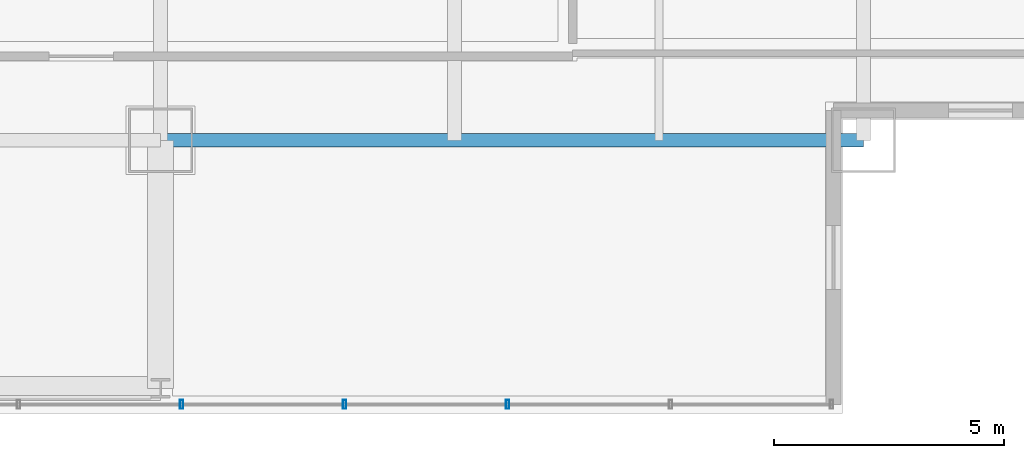
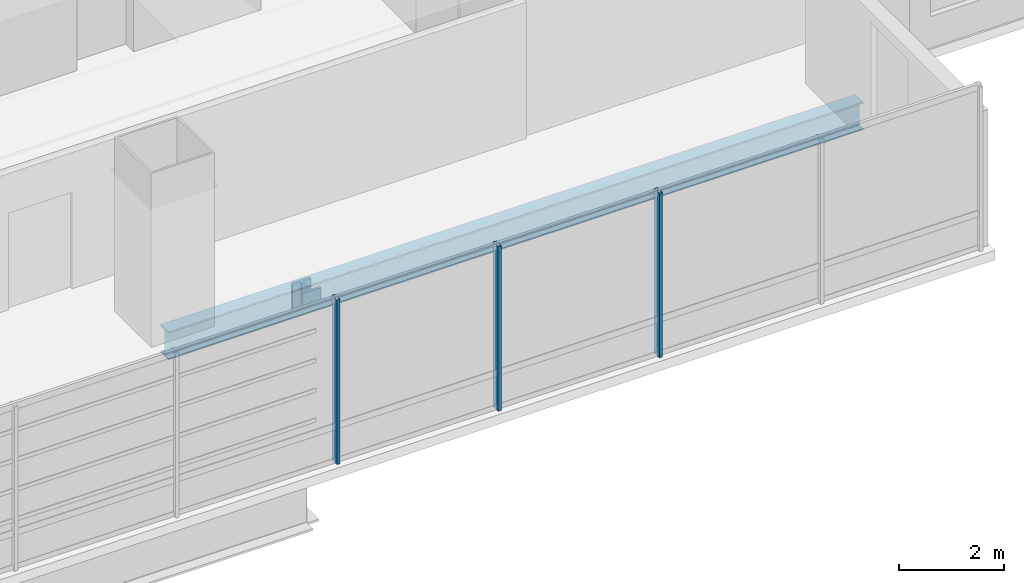
# One storey, part 7 of 37: 3 members, 1 beam, 1 element without a shape of its own.
"""IFC4 building model written with IfcOpenShell, lengths in metres."""

import ifcopenshell
import ifcopenshell.guid

model = None  # the IFC model being written
_history = None  # IfcOwnerHistory: only IFC2X3 demands one
_inside = {}  # id of a spatial element -> (the spatial element, [elements in it])
_under = {}  # id of a project, library or spatial element -> (it, [spatial elements below it])
_declared = {}  # id of a project -> (the project, [libraries it declares])
_typed = {}  # id of a type object -> (the type object, [elements of that type])
_made_of = {}  # id of a material, layer set ... -> (it, [elements and type objects made of it])


def new_model(schema):
    """Start an empty IFC model of exactly this schema.

    Asked for "IFC4X3", IfcOpenShell would pick the latest addendum, in which some entities
    have other attributes; the version numbers below select the first issue.
    IFC2X3 requires an IfcOwnerHistory on every rooted entity: one is made here for all.
    """
    global model, _history
    if schema == "IFC4X3":
        model = ifcopenshell.file(schema_version=(4, 3, 0, 0))
    else:
        model = ifcopenshell.file(schema=schema)
    _inside.clear()
    _under.clear()
    _declared.clear()
    _typed.clear()
    _made_of.clear()
    _history = None
    if model.schema == "IFC2X3":
        org = make("IfcOrganization", Name="unknown")
        user = make(
            "IfcPersonAndOrganization",
            ThePerson=make("IfcPerson", FamilyName="unknown"),
            TheOrganization=org,
        )
        app = make(
            "IfcApplication",
            ApplicationDeveloper=org,
            Version="unknown",
            ApplicationFullName="unknown",
            ApplicationIdentifier="unknown",
        )
        _history = make(
            "IfcOwnerHistory",
            OwningUser=user,
            OwningApplication=app,
            ChangeAction="ADDED",
            CreationDate=0,
        )
    return model


def make(cls, **values):
    """One entity of the class cls with the attributes given. An attribute that is None is left unset."""
    return model.create_entity(
        cls, **{name: value for name, value in values.items() if value is not None}
    )


def rooted(cls, **values):
    """An entity with a GlobalId (a new one), such as an element, a storey or a relation."""
    return make(cls, GlobalId=ifcopenshell.guid.new(), OwnerHistory=_history, **values)


def si_unit(unit_type, name, prefix=None):
    """IfcSIUnit, for example si_unit("LENGTHUNIT", "METRE", prefix="MILLI")."""
    return make("IfcSIUnit", UnitType=unit_type, Prefix=prefix, Name=name)


def assignment(units):
    """IfcUnitAssignment: the units of a project."""
    return None if units is None else make("IfcUnitAssignment", Units=units)


def point(xyz):
    """IfcCartesianPoint."""
    return None if xyz is None else make("IfcCartesianPoint", Coordinates=xyz)


def direction(xyz):
    """IfcDirection."""
    return None if xyz is None else make("IfcDirection", DirectionRatios=xyz)


def frame(location, z_axis=None, x_axis=None):
    """IfcAxis2Placement3D, a coordinate frame: its origin and axes. An axis left out is left unset."""
    return make(
        "IfcAxis2Placement3D",
        Location=point(location),
        Axis=direction(z_axis),
        RefDirection=direction(x_axis),
    )


def frame_2d(location, x_axis=None):
    """IfcAxis2Placement2D, a coordinate frame in the plane: its origin and x axis."""
    return make(
        "IfcAxis2Placement2D", Location=point(location), RefDirection=direction(x_axis)
    )


def origin():
    """The frame at (0, 0, 0) with its axes left unset."""
    return frame((0.0, 0.0, 0.0))


def origin_2d():
    """The frame at (0, 0) in the plane with its x axis left unset."""
    return frame_2d((0.0, 0.0))


def place(relative_to, where):
    """IfcLocalPlacement: puts the frame where relative to a parent placement (None: the world)."""
    return make(
        "IfcLocalPlacement", PlacementRelTo=relative_to, RelativePlacement=where
    )


def context(
    kind, dimensions, precision=None, world=None, true_north=None, identifier=None
):
    """IfcGeometricRepresentationContext, for example the 3D "Model" context."""
    return make(
        "IfcGeometricRepresentationContext",
        ContextIdentifier=identifier,
        ContextType=kind,
        CoordinateSpaceDimension=dimensions,
        Precision=precision,
        WorldCoordinateSystem=world,
        TrueNorth=true_north,
    )


def subcontext(parent, identifier, kind, view, scale=None):
    """IfcGeometricRepresentationSubContext, for example "Body" below "Model"."""
    return make(
        "IfcGeometricRepresentationSubContext",
        ContextIdentifier=identifier,
        ContextType=kind,
        ParentContext=parent,
        TargetScale=scale,
        TargetView=view,
    )


def project(units=None, contexts=None):
    """IfcProject with its units and contexts."""
    return rooted(
        "IfcProject",
        Name="project",
        RepresentationContexts=contexts,
        UnitsInContext=assignment(units),
    )


def spatial(cls, under=None, at=None, **own):
    """A site, building, storey or space (cls), placed at a placement, below another one or the project."""
    s = rooted(cls, ObjectPlacement=at, **own)
    if under is not None:
        _under.setdefault(under.id(), (under, []))[1].append(s)
    return s


def profile(cls, at=None, kind="AREA", **sizes):
    """A parametric profile (cls). Its sizes go by their IFC names, for example OverallWidth=200.0."""
    return make(cls, ProfileType=kind, Position=at, **sizes)


def hollow_rectangle(**sizes):
    """IfcRectangleHollowProfileDef."""
    return profile("IfcRectangleHollowProfileDef", **sizes)


def i_section(**sizes):
    """IfcIShapeProfileDef."""
    return profile("IfcIShapeProfileDef", **sizes)


def extrude(swept, where, along, depth):
    """IfcExtrudedAreaSolid: the profile swept, set in the frame where, extruded along a direction by depth."""
    return make(
        "IfcExtrudedAreaSolid",
        SweptArea=swept,
        Position=where,
        ExtrudedDirection=direction(along),
        Depth=depth,
    )


def shape(context_of_items, identifier, shape_type, items):
    """IfcShapeRepresentation: the items that make up one representation, for example the "Body"."""
    return make(
        "IfcShapeRepresentation",
        ContextOfItems=context_of_items,
        RepresentationIdentifier=identifier,
        RepresentationType=shape_type,
        Items=items,
    )


def material(Name=None, Category=None):
    """IfcMaterial."""
    return make("IfcMaterial", Name=Name, Category=Category)


def material_profile(
    of_material, cross_section, Name=None, Category=None, Priority=None
):
    """IfcMaterialProfile: a cross section and its material."""
    return make(
        "IfcMaterialProfile",
        Name=Name,
        Material=of_material,
        Profile=cross_section,
        Priority=Priority,
        Category=Category,
    )


def profile_set(profiles, Name=None, composite=None):
    """IfcMaterialProfileSet."""
    return make(
        "IfcMaterialProfileSet",
        Name=Name,
        MaterialProfiles=profiles,
        CompositeProfile=composite,
    )


def made_of(thing, what):
    """Note that an element or type object is made of a material, layer set ...; save() writes the relation."""
    if what is not None:
        _made_of.setdefault(what.id(), (what, []))[1].append(thing)
    return thing


def type_object(cls, material=None, **own):
    """A type object (cls), such as IfcWallType, which elements share."""
    return made_of(rooted(cls, **own), material)


def element(
    cls,
    number,
    at=None,
    inside=None,
    cuts=None,
    type_object=None,
    material=None,
    context=None,
    identifier="Body",
    shape_type=None,
    held_by="IfcProductDefinitionShape",
    body=None,
    shapes=None,
    **own,
):
    """One element of the class cls, such as IfcWall. Its Tag is "e" and its number.

    at: its placement. inside: the storey or other place that contains it. cuts: it is an
    opening in that element (IfcRelVoidsElement). A single representation is given by context,
    identifier, shape_type and body (its items); several are given by shapes. held_by: the class
    of the entity that holds the representations. save() writes the other relations.
    """
    e = rooted(cls, Tag="e%d" % number, ObjectPlacement=at, **own)
    if body is not None:
        shapes = [shape(context, identifier, shape_type, body)]
    if shapes is not None:
        e.Representation = make(held_by, Representations=shapes)
    if inside is not None:
        _inside.setdefault(inside.id(), (inside, []))[1].append(e)
    if cuts is not None:
        rooted(
            "IfcRelVoidsElement", RelatingBuildingElement=cuts, RelatedOpeningElement=e
        )
    if type_object is not None:
        _typed.setdefault(type_object.id(), (type_object, []))[1].append(e)
    return made_of(e, material)


def aggregate(whole, parts):
    """IfcRelAggregates: a whole, such as a stair, and the parts it consists of."""
    return rooted("IfcRelAggregates", RelatingObject=whole, RelatedObjects=parts)


def save(model, path):
    """Write the relations noted so far, then the file.

    IfcRelAggregates (storeys below a building ...), IfcRelContainedInSpatialStructure (elements
    in a storey), IfcRelDefinesByType, IfcRelAssociatesMaterial and IfcRelDeclares: one each for
    every whole, place, type object, material and project.
    """
    for whole, parts in _under.values():
        aggregate(whole, parts)
    for where, things in _inside.values():
        rooted(
            "IfcRelContainedInSpatialStructure",
            RelatedElements=things,
            RelatingStructure=where,
        )
    for kind, things in _typed.values():
        rooted("IfcRelDefinesByType", RelatedObjects=things, RelatingType=kind)
    for what, things in _made_of.values():
        rooted("IfcRelAssociatesMaterial", RelatedObjects=things, RelatingMaterial=what)
    for by, libraries in _declared.values():
        rooted("IfcRelDeclares", RelatingContext=by, RelatedDefinitions=libraries)
    model.write(path)


model = new_model("IFC4")

# Units and contexts
model_context = context("Model", 3, precision=1e-05, world=origin(), true_north=direction((0.0, 1.0)))
body_context = subcontext(model_context, "Body", "Model", "MODEL_VIEW")
ifc_project = project(units=[si_unit("LENGTHUNIT", "METRE"), si_unit("AREAUNIT", "SQUARE_METRE"), si_unit("VOLUMEUNIT", "CUBIC_METRE"), si_unit("PLANEANGLEUNIT", "RADIAN"), si_unit("MASSUNIT", "GRAM", prefix="KILO")], contexts=[model_context])

# Site, building, storey
site_placement = place(None, origin())
site = spatial("IfcSite", under=ifc_project, at=site_placement, CompositionType="ELEMENT")
building_placement = place(site_placement, origin())
building = spatial("IfcBuilding", under=site, at=building_placement, Name="Punatoya Terracotta Tower", CompositionType="ELEMENT")
storey_placement = place(building_placement, frame((0.0, 0.0, 224.85009765625)))
storey = spatial("IfcBuildingStorey", under=building, at=storey_placement, Name="L53", CompositionType="ELEMENT", Elevation=224.85009765625)

# Beam
ifc_material_1 = material(Name="Steel S355", Category="steel")
ifc_material_profile_1 = material_profile(ifc_material_1, i_section(OverallWidth=0.300048828125, OverallDepth=0.64990234375, WebThickness=0.01611328125, FlangeThickness=0.031005859375, FilletRadius=0.01806640625, at=origin_2d()))
ifc_profile_set_1 = profile_set([ifc_material_profile_1], Name="Steel S355")
beam_type = type_object("IfcBeamType", Name="BM-PRI-650", PredefinedType="BEAM", material=ifc_profile_set_1)
beam_placement = place(storey_placement, frame((3.800048828125, -17.5, -0.545166015625), z_axis=(1.0, 0.0, 0.0), x_axis=(0.0, 1.0, 0.0)))
element("IfcBeam", 1, at=beam_placement, inside=storey, type_object=beam_type, Name="BM-L53-RG-S3", PredefinedType="BEAM", context=body_context, shape_type="SweptSolid", body=[
    extrude(i_section(OverallWidth=0.300048828125, OverallDepth=0.64990234375, WebThickness=0.01611328125, FlangeThickness=0.031005859375, FilletRadius=0.01806640625, at=origin_2d()), origin(), (0.0, 0.0, 1.0), 15.300048828125),
])

# Curtain wall, members
ifc_material_2 = material(Name="Aluminium 6063-T6 + Double Low-E Glass", Category="aluminium")
curtain_wall_type = type_object("IfcCurtainWallType", Name="CW-M2", PredefinedType="NOTDEFINED", material=ifc_material_2)
curtain_wall_placement = place(storey_placement, origin())
curtain_wall = element("IfcCurtainWall", 2, at=curtain_wall_placement, inside=storey, type_object=curtain_wall_type, Name="L53 Curtain Wall CW-L53-S01-1", PredefinedType="NOTDEFINED")
ifc_material_3 = material(Name="Aluminium 6063-T6", Category="aluminium")
ifc_material_profile_2 = material_profile(ifc_material_3, hollow_rectangle(XDim=0.072021484375, YDim=0.195068359375, WallThickness=0.00439453125, at=origin_2d()))
ifc_profile_set_2 = profile_set([ifc_material_profile_2], Name="Aluminium 6063-T6")
member_type = type_object("IfcMemberType", Name="CW-MUL-M2", PredefinedType="MULLION", material=ifc_profile_set_2)
member_1_placement = place(storey_placement, frame((4.255126953125, -23.25, 0.0), z_axis=(0.0, 0.0, 1.0), x_axis=(1.0, 0.0, 0.0)))
member_1 = element("IfcMember", 3, at=member_1_placement, type_object=member_type, Name="CW-L53-S01-1 Mullion 06", PredefinedType="MULLION", context=body_context, shape_type="SweptSolid", body=[
    extrude(hollow_rectangle(XDim=0.072021484375, YDim=0.195068359375, WallThickness=0.00439453125, at=origin_2d()), origin(), (0.0, 0.0, 1.0), 3.829833984375),
])
member_2_placement = place(storey_placement, frame((7.803955078125, -23.25, 0.0), z_axis=(0.0, 0.0, 1.0), x_axis=(1.0, 0.0, 0.0)))
member_2 = element("IfcMember", 4, at=member_2_placement, type_object=member_type, Name="CW-L53-S01-1 Mullion 07", PredefinedType="MULLION", context=body_context, shape_type="SweptSolid", body=[
    extrude(hollow_rectangle(XDim=0.072021484375, YDim=0.195068359375, WallThickness=0.00439453125, at=origin_2d()), origin(), (0.0, 0.0, 1.0), 3.829833984375),
])
member_3_placement = place(storey_placement, frame((11.3525390625, -23.25, 0.0), z_axis=(0.0, 0.0, 1.0), x_axis=(1.0, 0.0, 0.0)))
member_3 = element("IfcMember", 5, at=member_3_placement, type_object=member_type, Name="CW-L53-S01-1 Mullion 08", PredefinedType="MULLION", context=body_context, shape_type="SweptSolid", body=[
    extrude(hollow_rectangle(XDim=0.072021484375, YDim=0.195068359375, WallThickness=0.00439453125, at=origin_2d()), origin(), (0.0, 0.0, 1.0), 3.829833984375),
])
aggregate(curtain_wall, [member_1, member_2, member_3])

save(model, "model.ifc")
